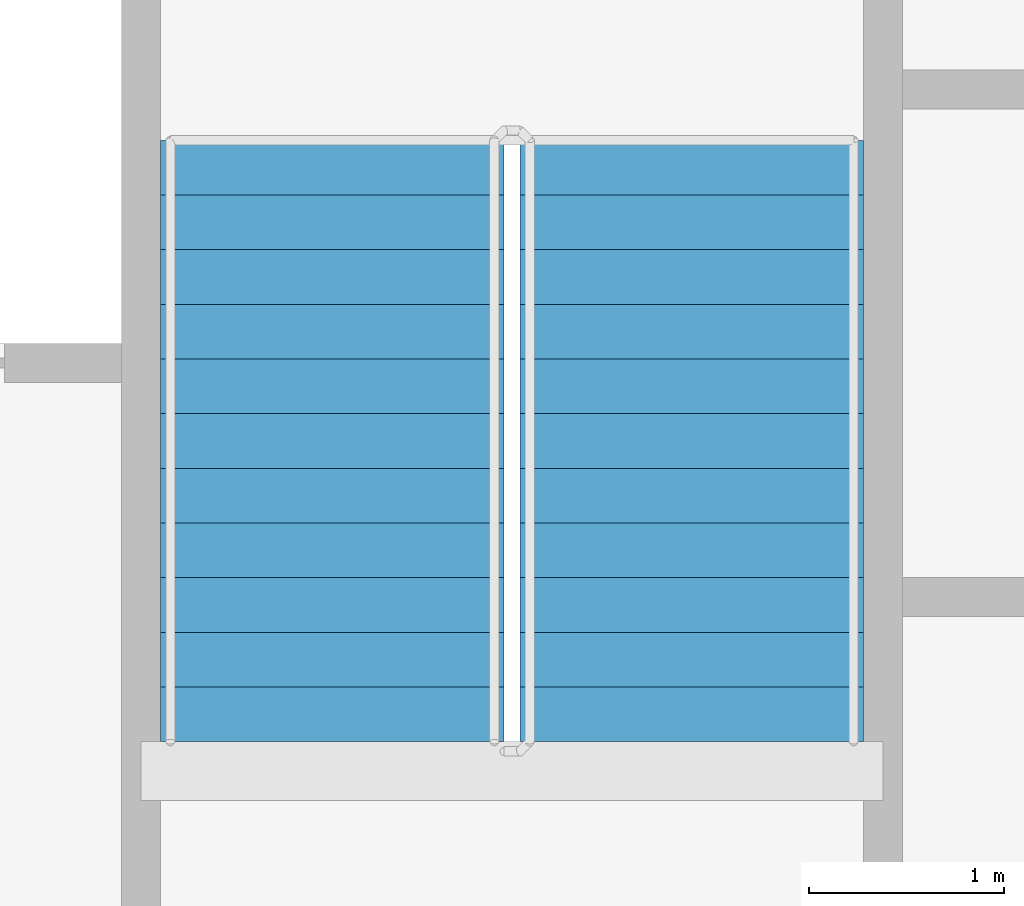
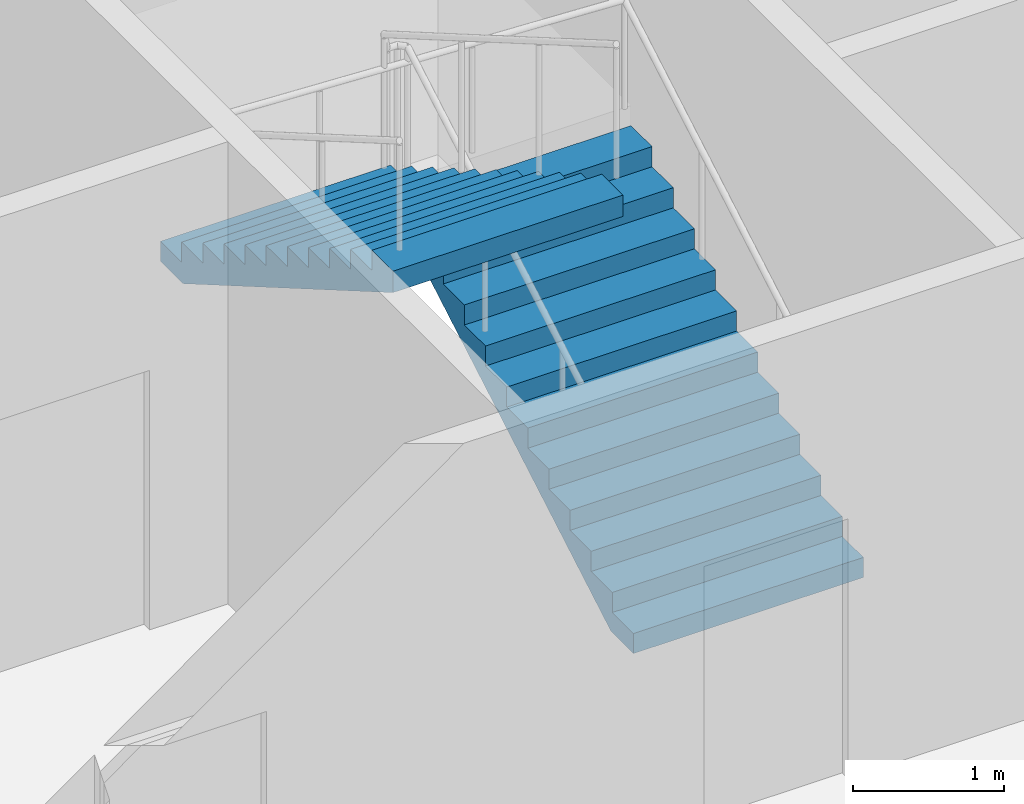
# One storey, part 10 of 16: 2 stair flights, 1 element without a shape of its own.
"""IFC4 building model written with IfcOpenShell, lengths in metres."""

import ifcopenshell
import ifcopenshell.guid

model = None  # the IFC model being written
_history = None  # IfcOwnerHistory: only IFC2X3 demands one
_inside = {}  # id of a spatial element -> (the spatial element, [elements in it])
_under = {}  # id of a project, library or spatial element -> (it, [spatial elements below it])
_declared = {}  # id of a project -> (the project, [libraries it declares])
_typed = {}  # id of a type object -> (the type object, [elements of that type])
_made_of = {}  # id of a material, layer set ... -> (it, [elements and type objects made of it])


def new_model(schema):
    """Start an empty IFC model of exactly this schema.

    Asked for "IFC4X3", IfcOpenShell would pick the latest addendum, in which some entities
    have other attributes; the version numbers below select the first issue.
    IFC2X3 requires an IfcOwnerHistory on every rooted entity: one is made here for all.
    """
    global model, _history
    if schema == "IFC4X3":
        model = ifcopenshell.file(schema_version=(4, 3, 0, 0))
    else:
        model = ifcopenshell.file(schema=schema)
    _inside.clear()
    _under.clear()
    _declared.clear()
    _typed.clear()
    _made_of.clear()
    _history = None
    if model.schema == "IFC2X3":
        org = make("IfcOrganization", Name="unknown")
        user = make(
            "IfcPersonAndOrganization",
            ThePerson=make("IfcPerson", FamilyName="unknown"),
            TheOrganization=org,
        )
        app = make(
            "IfcApplication",
            ApplicationDeveloper=org,
            Version="unknown",
            ApplicationFullName="unknown",
            ApplicationIdentifier="unknown",
        )
        _history = make(
            "IfcOwnerHistory",
            OwningUser=user,
            OwningApplication=app,
            ChangeAction="ADDED",
            CreationDate=0,
        )
    return model


def make(cls, **values):
    """One entity of the class cls with the attributes given. An attribute that is None is left unset."""
    return model.create_entity(
        cls, **{name: value for name, value in values.items() if value is not None}
    )


def rooted(cls, **values):
    """An entity with a GlobalId (a new one), such as an element, a storey or a relation."""
    return make(cls, GlobalId=ifcopenshell.guid.new(), OwnerHistory=_history, **values)


def si_unit(unit_type, name, prefix=None):
    """IfcSIUnit, for example si_unit("LENGTHUNIT", "METRE", prefix="MILLI")."""
    return make("IfcSIUnit", UnitType=unit_type, Prefix=prefix, Name=name)


def assignment(units):
    """IfcUnitAssignment: the units of a project."""
    return None if units is None else make("IfcUnitAssignment", Units=units)


def point(xyz):
    """IfcCartesianPoint."""
    return None if xyz is None else make("IfcCartesianPoint", Coordinates=xyz)


def direction(xyz):
    """IfcDirection."""
    return None if xyz is None else make("IfcDirection", DirectionRatios=xyz)


def frame(location, z_axis=None, x_axis=None):
    """IfcAxis2Placement3D, a coordinate frame: its origin and axes. An axis left out is left unset."""
    return make(
        "IfcAxis2Placement3D",
        Location=point(location),
        Axis=direction(z_axis),
        RefDirection=direction(x_axis),
    )


def origin():
    """The frame at (0, 0, 0) with its axes left unset."""
    return frame((0.0, 0.0, 0.0))


def place(relative_to, where):
    """IfcLocalPlacement: puts the frame where relative to a parent placement (None: the world)."""
    return make(
        "IfcLocalPlacement", PlacementRelTo=relative_to, RelativePlacement=where
    )


def context(
    kind, dimensions, precision=None, world=None, true_north=None, identifier=None
):
    """IfcGeometricRepresentationContext, for example the 3D "Model" context."""
    return make(
        "IfcGeometricRepresentationContext",
        ContextIdentifier=identifier,
        ContextType=kind,
        CoordinateSpaceDimension=dimensions,
        Precision=precision,
        WorldCoordinateSystem=world,
        TrueNorth=true_north,
    )


def subcontext(parent, identifier, kind, view, scale=None):
    """IfcGeometricRepresentationSubContext, for example "Body" below "Model"."""
    return make(
        "IfcGeometricRepresentationSubContext",
        ContextIdentifier=identifier,
        ContextType=kind,
        ParentContext=parent,
        TargetScale=scale,
        TargetView=view,
    )


def project(units=None, contexts=None):
    """IfcProject with its units and contexts."""
    return rooted(
        "IfcProject",
        Name="project",
        RepresentationContexts=contexts,
        UnitsInContext=assignment(units),
    )


def spatial(cls, under=None, at=None, **own):
    """A site, building, storey or space (cls), placed at a placement, below another one or the project."""
    s = rooted(cls, ObjectPlacement=at, **own)
    if under is not None:
        _under.setdefault(under.id(), (under, []))[1].append(s)
    return s


def faces_of(points, faces, orient=None, outer=None):
    """IfcFace entities. A face is a list of loops; a loop is a list of indices into points, from 0.

    orient and outer hold one flag for each loop. By default every Orientation is true, the
    first loop of a face is its IfcFaceOuterBound and the others are IfcFaceBound.
    """
    made = []
    for i, loops in enumerate(faces):
        bounds = []
        for j, loop in enumerate(loops):
            is_outer = j == 0 if outer is None else outer[i][j]
            bounds.append(
                make(
                    "IfcFaceOuterBound" if is_outer else "IfcFaceBound",
                    Bound=make("IfcPolyLoop", Polygon=[points[k] for k in loop]),
                    Orientation=True if orient is None else orient[i][j],
                )
            )
        made.append(make("IfcFace", Bounds=bounds))
    return made


def faceted_brep(points, faces, orient=None, outer=None, voids=None):
    """IfcFacetedBrep: a solid bounded by flat faces; with voids (closed shells), ...WithVoids."""
    shared = [point(p) for p in points]
    hull = make("IfcClosedShell", CfsFaces=faces_of(shared, faces, orient, outer))
    if voids is None:
        return make("IfcFacetedBrep", Outer=hull)
    return make(
        "IfcFacetedBrepWithVoids",
        Outer=hull,
        Voids=[
            make(cls, CfsFaces=faces_of(shared, fs, o, b)) for cls, fs, o, b in voids
        ],
    )


def shape(context_of_items, identifier, shape_type, items):
    """IfcShapeRepresentation: the items that make up one representation, for example the "Body"."""
    return make(
        "IfcShapeRepresentation",
        ContextOfItems=context_of_items,
        RepresentationIdentifier=identifier,
        RepresentationType=shape_type,
        Items=items,
    )


def material(Name=None, Category=None):
    """IfcMaterial."""
    return make("IfcMaterial", Name=Name, Category=Category)


def made_of(thing, what):
    """Note that an element or type object is made of a material, layer set ...; save() writes the relation."""
    if what is not None:
        _made_of.setdefault(what.id(), (what, []))[1].append(thing)
    return thing


def type_object(cls, material=None, **own):
    """A type object (cls), such as IfcWallType, which elements share."""
    return made_of(rooted(cls, **own), material)


def element(
    cls,
    number,
    at=None,
    inside=None,
    cuts=None,
    type_object=None,
    material=None,
    context=None,
    identifier="Body",
    shape_type=None,
    held_by="IfcProductDefinitionShape",
    body=None,
    shapes=None,
    **own,
):
    """One element of the class cls, such as IfcWall. Its Tag is "e" and its number.

    at: its placement. inside: the storey or other place that contains it. cuts: it is an
    opening in that element (IfcRelVoidsElement). A single representation is given by context,
    identifier, shape_type and body (its items); several are given by shapes. held_by: the class
    of the entity that holds the representations. save() writes the other relations.
    """
    e = rooted(cls, Tag="e%d" % number, ObjectPlacement=at, **own)
    if body is not None:
        shapes = [shape(context, identifier, shape_type, body)]
    if shapes is not None:
        e.Representation = make(held_by, Representations=shapes)
    if inside is not None:
        _inside.setdefault(inside.id(), (inside, []))[1].append(e)
    if cuts is not None:
        rooted(
            "IfcRelVoidsElement", RelatingBuildingElement=cuts, RelatedOpeningElement=e
        )
    if type_object is not None:
        _typed.setdefault(type_object.id(), (type_object, []))[1].append(e)
    return made_of(e, material)


def aggregate(whole, parts):
    """IfcRelAggregates: a whole, such as a stair, and the parts it consists of."""
    return rooted("IfcRelAggregates", RelatingObject=whole, RelatedObjects=parts)


def save(model, path):
    """Write the relations noted so far, then the file.

    IfcRelAggregates (storeys below a building ...), IfcRelContainedInSpatialStructure (elements
    in a storey), IfcRelDefinesByType, IfcRelAssociatesMaterial and IfcRelDeclares: one each for
    every whole, place, type object, material and project.
    """
    for whole, parts in _under.values():
        aggregate(whole, parts)
    for where, things in _inside.values():
        rooted(
            "IfcRelContainedInSpatialStructure",
            RelatedElements=things,
            RelatingStructure=where,
        )
    for kind, things in _typed.values():
        rooted("IfcRelDefinesByType", RelatedObjects=things, RelatingType=kind)
    for what, things in _made_of.values():
        rooted("IfcRelAssociatesMaterial", RelatedObjects=things, RelatingMaterial=what)
    for by, libraries in _declared.values():
        rooted("IfcRelDeclares", RelatingContext=by, RelatedDefinitions=libraries)
    model.write(path)


model = new_model("IFC4")

# Units and contexts
model_context = context("Model", 3, precision=1e-05, world=origin(), true_north=direction((0.0, 1.0)))
body_context = subcontext(model_context, "Body", "Model", "MODEL_VIEW")
ifc_project = project(units=[si_unit("LENGTHUNIT", "METRE"), si_unit("AREAUNIT", "SQUARE_METRE"), si_unit("VOLUMEUNIT", "CUBIC_METRE"), si_unit("PLANEANGLEUNIT", "RADIAN"), si_unit("MASSUNIT", "GRAM", prefix="KILO")], contexts=[model_context])

# Site, building, storey
site_placement = place(None, origin())
site = spatial("IfcSite", under=ifc_project, at=site_placement, CompositionType="ELEMENT")
building_placement = place(site_placement, origin())
building = spatial("IfcBuilding", under=site, at=building_placement, Name="Tarsis Ring Headquarters", CompositionType="ELEMENT")
storey_placement = place(building_placement, frame((0.0, 0.0, 112.300048828125)))
storey = spatial("IfcBuildingStorey", under=building, at=storey_placement, Name="L25", CompositionType="ELEMENT", Elevation=112.300048828125)

# Stair, stair flights
ifc_material_1 = material(Name="Core stair 1760")
stair_type = type_object("IfcStairType", Name="Core stair 1760", PredefinedType="HALF_TURN_STAIR", material=ifc_material_1)
stair_placement = place(storey_placement, origin())
stair = element("IfcStair", 1, at=stair_placement, inside=storey, type_object=stair_type, Name="L25 Exit stair B", PredefinedType="HALF_TURN_STAIR")
ifc_material_2 = material(Name="Concrete C40/50", Category="concrete")
stair_flight_type = type_object("IfcStairFlightType", Name="Core stair flight 1760", PredefinedType="STRAIGHT", material=ifc_material_2)
stair_flight_1_placement = place(storey_placement, frame((5.419921875, 3.659912109375, 0.0), z_axis=(0.0, 0.0, 1.0), x_axis=(0.0, 1.0, 0.0)))
stair_flight_1 = element("IfcStairFlight", 2, at=stair_flight_1_placement, type_object=stair_flight_type, Name="Stair ST2 flight 1", NumberOfRisers=12, NumberOfTreads=11, PredefinedType="STRAIGHT", RiserHeight=0.1625, TreadLength=0.28, context=body_context, shape_type="Brep", body=[
    faceted_brep([(0.0, 0.8798828125, 0.0), (0.0, 0.8798828125, 0.16259765625), (0.280029296875, 0.8798828125, 0.16259765625), (0.280029296875, 0.8798828125, 0.324951171875), (0.56005859375, 0.8798828125, 0.324951171875), (0.56005859375, 0.8798828125, 0.487548828125), (0.840087890625, 0.8798828125, 0.487548828125), (0.840087890625, 0.8798828125, 0.64990234375), (1.1201171875, 0.8798828125, 0.64990234375), (1.1201171875, 0.8798828125, 0.8125), (1.39990234375, 0.8798828125, 0.8125), (1.39990234375, 0.8798828125, 0.97509765625), (1.679931640625, 0.8798828125, 0.97509765625), (1.679931640625, 0.8798828125, 1.137451171875), (1.9599609375, 0.8798828125, 1.137451171875), (1.9599609375, 0.8798828125, 1.300048828125), (2.239990234375, 0.8798828125, 1.300048828125), (2.239990234375, 0.8798828125, 1.46240234375), (2.52001953125, 0.8798828125, 1.46240234375), (2.52001953125, 0.8798828125, 1.625), (2.800048828125, 0.8798828125, 1.625), (2.800048828125, 0.8798828125, 1.78759765625), (3.080078125, 0.8798828125, 1.78759765625), (3.080078125, 0.8798828125, 1.6142578125), (0.298583984375, 0.8798828125, 0.0), (0.298583984375, -0.8798828125, 0.0), (3.080078125, -0.8798828125, 1.6142578125), (3.080078125, -0.8798828125, 1.78759765625), (2.800048828125, -0.8798828125, 1.78759765625), (2.800048828125, -0.8798828125, 1.625), (2.52001953125, -0.8798828125, 1.625), (2.52001953125, -0.8798828125, 1.46240234375), (2.239990234375, -0.8798828125, 1.46240234375), (2.239990234375, -0.8798828125, 1.300048828125), (1.9599609375, -0.8798828125, 1.300048828125), (1.9599609375, -0.8798828125, 1.137451171875), (1.679931640625, -0.8798828125, 1.137451171875), (1.679931640625, -0.8798828125, 0.97509765625), (1.39990234375, -0.8798828125, 0.97509765625), (1.39990234375, -0.8798828125, 0.8125), (1.1201171875, -0.8798828125, 0.8125), (1.1201171875, -0.8798828125, 0.64990234375), (0.840087890625, -0.8798828125, 0.64990234375), (0.840087890625, -0.8798828125, 0.487548828125), (0.56005859375, -0.8798828125, 0.487548828125), (0.56005859375, -0.8798828125, 0.324951171875), (0.280029296875, -0.8798828125, 0.324951171875), (0.280029296875, -0.8798828125, 0.16259765625), (0.0, -0.8798828125, 0.16259765625), (0.0, -0.8798828125, 0.0), (0.0, -0.43994140625, 0.16259765625), (0.0, -0.43994140625, 0.0), (0.0, 0.0, 0.16259765625), (0.0, 0.0, 0.0), (0.0, 0.43994140625, 0.16259765625), (0.0, 0.43994140625, 0.0), (0.280029296875, -0.43994140625, 0.16259765625), (0.280029296875, 0.0, 0.16259765625), (0.280029296875, 0.43994140625, 0.16259765625), (0.280029296875, -0.43994140625, 0.324951171875), (0.280029296875, 0.0, 0.324951171875), (0.280029296875, 0.43994140625, 0.324951171875), (0.56005859375, -0.43994140625, 0.324951171875), (0.56005859375, 0.0, 0.324951171875), (0.56005859375, 0.43994140625, 0.324951171875), (0.56005859375, -0.43994140625, 0.487548828125), (0.56005859375, 0.0, 0.487548828125), (0.56005859375, 0.43994140625, 0.487548828125), (0.840087890625, -0.43994140625, 0.487548828125), (0.840087890625, 0.0, 0.487548828125), (0.840087890625, 0.43994140625, 0.487548828125), (0.840087890625, -0.43994140625, 0.64990234375), (0.840087890625, 0.0, 0.64990234375), (0.840087890625, 0.43994140625, 0.64990234375), (1.1201171875, -0.43994140625, 0.64990234375), (1.1201171875, 0.0, 0.64990234375), (1.1201171875, 0.43994140625, 0.64990234375), (1.1201171875, -0.43994140625, 0.8125), (1.1201171875, 0.0, 0.8125), (1.1201171875, 0.43994140625, 0.8125), (1.39990234375, -0.43994140625, 0.8125), (1.39990234375, 0.0, 0.8125), (1.39990234375, 0.43994140625, 0.8125), (1.39990234375, -0.43994140625, 0.97509765625), (1.39990234375, 0.0, 0.97509765625), (1.39990234375, 0.43994140625, 0.97509765625), (1.679931640625, -0.43994140625, 0.97509765625), (1.679931640625, 0.0, 0.97509765625), (1.679931640625, 0.43994140625, 0.97509765625), (1.679931640625, -0.43994140625, 1.137451171875), (1.679931640625, 0.0, 1.137451171875), (1.679931640625, 0.43994140625, 1.137451171875), (1.9599609375, -0.43994140625, 1.137451171875), (1.9599609375, 0.0, 1.137451171875), (1.9599609375, 0.43994140625, 1.137451171875), (1.9599609375, -0.43994140625, 1.300048828125), (1.9599609375, 0.0, 1.300048828125), (1.9599609375, 0.43994140625, 1.300048828125), (2.239990234375, -0.43994140625, 1.300048828125), (2.239990234375, 0.0, 1.300048828125), (2.239990234375, 0.43994140625, 1.300048828125), (2.239990234375, -0.43994140625, 1.46240234375), (2.239990234375, 0.0, 1.46240234375), (2.239990234375, 0.43994140625, 1.46240234375), (2.52001953125, -0.43994140625, 1.46240234375), (2.52001953125, 0.0, 1.46240234375), (2.52001953125, 0.43994140625, 1.46240234375), (2.52001953125, -0.43994140625, 1.625), (2.52001953125, 0.0, 1.625), (2.52001953125, 0.43994140625, 1.625), (2.800048828125, -0.43994140625, 1.625), (2.800048828125, 0.0, 1.625), (2.800048828125, 0.43994140625, 1.625), (2.800048828125, -0.43994140625, 1.78759765625), (2.800048828125, 0.0, 1.78759765625), (2.800048828125, 0.43994140625, 1.78759765625), (3.080078125, -0.43994140625, 1.78759765625), (3.080078125, 0.0, 1.78759765625), (3.080078125, 0.43994140625, 1.78759765625), (3.080078125, -0.43994140625, 1.6142578125), (3.080078125, 0.0, 1.6142578125), (3.080078125, 0.43994140625, 1.6142578125), (0.298583984375, -0.43994140625, 0.0), (0.298583984375, 0.0, 0.0), (0.298583984375, 0.43994140625, 0.0)], [[[0, 1, 2, 3, 4, 5, 6, 7, 8, 9, 10, 11, 12, 13, 14, 15, 16, 17, 18, 19, 20, 21, 22, 23, 24]], [[25, 26, 27, 28, 29, 30, 31, 32, 33, 34, 35, 36, 37, 38, 39, 40, 41, 42, 43, 44, 45, 46, 47, 48, 49]], [[49, 48, 50, 51]], [[51, 50, 52, 53]], [[53, 52, 54, 55]], [[55, 54, 1, 0]], [[48, 47, 56, 50]], [[50, 56, 57, 52]], [[52, 57, 58, 54]], [[54, 58, 2, 1]], [[47, 46, 59, 56]], [[56, 59, 60, 57]], [[57, 60, 61, 58]], [[58, 61, 3, 2]], [[46, 45, 62, 59]], [[59, 62, 63, 60]], [[60, 63, 64, 61]], [[61, 64, 4, 3]], [[45, 44, 65, 62]], [[62, 65, 66, 63]], [[63, 66, 67, 64]], [[64, 67, 5, 4]], [[44, 43, 68, 65]], [[65, 68, 69, 66]], [[66, 69, 70, 67]], [[67, 70, 6, 5]], [[43, 42, 71, 68]], [[68, 71, 72, 69]], [[69, 72, 73, 70]], [[70, 73, 7, 6]], [[42, 41, 74, 71]], [[71, 74, 75, 72]], [[72, 75, 76, 73]], [[73, 76, 8, 7]], [[41, 40, 77, 74]], [[74, 77, 78, 75]], [[75, 78, 79, 76]], [[76, 79, 9, 8]], [[40, 39, 80, 77]], [[77, 80, 81, 78]], [[78, 81, 82, 79]], [[79, 82, 10, 9]], [[39, 38, 83, 80]], [[80, 83, 84, 81]], [[81, 84, 85, 82]], [[82, 85, 11, 10]], [[38, 37, 86, 83]], [[83, 86, 87, 84]], [[84, 87, 88, 85]], [[85, 88, 12, 11]], [[37, 36, 89, 86]], [[86, 89, 90, 87]], [[87, 90, 91, 88]], [[88, 91, 13, 12]], [[36, 35, 92, 89]], [[89, 92, 93, 90]], [[90, 93, 94, 91]], [[91, 94, 14, 13]], [[35, 34, 95, 92]], [[92, 95, 96, 93]], [[93, 96, 97, 94]], [[94, 97, 15, 14]], [[34, 33, 98, 95]], [[95, 98, 99, 96]], [[96, 99, 100, 97]], [[97, 100, 16, 15]], [[33, 32, 101, 98]], [[98, 101, 102, 99]], [[99, 102, 103, 100]], [[100, 103, 17, 16]], [[32, 31, 104, 101]], [[101, 104, 105, 102]], [[102, 105, 106, 103]], [[103, 106, 18, 17]], [[31, 30, 107, 104]], [[104, 107, 108, 105]], [[105, 108, 109, 106]], [[106, 109, 19, 18]], [[30, 29, 110, 107]], [[107, 110, 111, 108]], [[108, 111, 112, 109]], [[109, 112, 20, 19]], [[29, 28, 113, 110]], [[110, 113, 114, 111]], [[111, 114, 115, 112]], [[112, 115, 21, 20]], [[28, 27, 116, 113]], [[113, 116, 117, 114]], [[114, 117, 118, 115]], [[115, 118, 22, 21]], [[27, 26, 119, 116]], [[116, 119, 120, 117]], [[117, 120, 121, 118]], [[118, 121, 23, 22]], [[26, 25, 122, 119]], [[119, 122, 123, 120]], [[120, 123, 124, 121]], [[121, 124, 24, 23]], [[25, 49, 51, 122]], [[122, 51, 53, 123]], [[123, 53, 55, 124]], [[124, 55, 0, 24]]]),
])
stair_flight_2_placement = place(storey_placement, frame((3.580078125, 6.739990234375, 1.949951171875), z_axis=(0.0, 0.0, 1.0), x_axis=(0.0, -1.0, 0.0)))
stair_flight_2 = element("IfcStairFlight", 3, at=stair_flight_2_placement, type_object=stair_flight_type, Name="Stair ST2 flight 2", NumberOfRisers=12, NumberOfTreads=11, PredefinedType="STRAIGHT", RiserHeight=0.1625, TreadLength=0.28, context=body_context, shape_type="Brep", body=[
    faceted_brep([(0.0, 0.8798828125, 0.0), (0.0, 0.8798828125, 0.16259765625), (0.280029296875, 0.8798828125, 0.16259765625), (0.280029296875, 0.8798828125, 0.324951171875), (0.56005859375, 0.8798828125, 0.324951171875), (0.56005859375, 0.8798828125, 0.487548828125), (0.840087890625, 0.8798828125, 0.487548828125), (0.840087890625, 0.8798828125, 0.64990234375), (1.1201171875, 0.8798828125, 0.64990234375), (1.1201171875, 0.8798828125, 0.8125), (1.39990234375, 0.8798828125, 0.8125), (1.39990234375, 0.8798828125, 0.97509765625), (1.679931640625, 0.8798828125, 0.97509765625), (1.679931640625, 0.8798828125, 1.137451171875), (1.9599609375, 0.8798828125, 1.137451171875), (1.9599609375, 0.8798828125, 1.300048828125), (2.239990234375, 0.8798828125, 1.300048828125), (2.239990234375, 0.8798828125, 1.46240234375), (2.52001953125, 0.8798828125, 1.46240234375), (2.52001953125, 0.8798828125, 1.625), (2.800048828125, 0.8798828125, 1.625), (2.800048828125, 0.8798828125, 1.78759765625), (3.080078125, 0.8798828125, 1.78759765625), (3.080078125, 0.8798828125, 1.6142578125), (0.298583984375, 0.8798828125, 0.0), (0.298583984375, -0.8798828125, 0.0), (3.080078125, -0.8798828125, 1.6142578125), (3.080078125, -0.8798828125, 1.78759765625), (2.800048828125, -0.8798828125, 1.78759765625), (2.800048828125, -0.8798828125, 1.625), (2.52001953125, -0.8798828125, 1.625), (2.52001953125, -0.8798828125, 1.46240234375), (2.239990234375, -0.8798828125, 1.46240234375), (2.239990234375, -0.8798828125, 1.300048828125), (1.9599609375, -0.8798828125, 1.300048828125), (1.9599609375, -0.8798828125, 1.137451171875), (1.679931640625, -0.8798828125, 1.137451171875), (1.679931640625, -0.8798828125, 0.97509765625), (1.39990234375, -0.8798828125, 0.97509765625), (1.39990234375, -0.8798828125, 0.8125), (1.1201171875, -0.8798828125, 0.8125), (1.1201171875, -0.8798828125, 0.64990234375), (0.840087890625, -0.8798828125, 0.64990234375), (0.840087890625, -0.8798828125, 0.487548828125), (0.56005859375, -0.8798828125, 0.487548828125), (0.56005859375, -0.8798828125, 0.324951171875), (0.280029296875, -0.8798828125, 0.324951171875), (0.280029296875, -0.8798828125, 0.16259765625), (0.0, -0.8798828125, 0.16259765625), (0.0, -0.8798828125, 0.0), (0.0, -0.43994140625, 0.16259765625), (0.0, -0.43994140625, 0.0), (0.0, 0.0, 0.16259765625), (0.0, 0.0, 0.0), (0.0, 0.43994140625, 0.16259765625), (0.0, 0.43994140625, 0.0), (0.280029296875, -0.43994140625, 0.16259765625), (0.280029296875, 0.0, 0.16259765625), (0.280029296875, 0.43994140625, 0.16259765625), (0.280029296875, -0.43994140625, 0.324951171875), (0.280029296875, 0.0, 0.324951171875), (0.280029296875, 0.43994140625, 0.324951171875), (0.56005859375, -0.43994140625, 0.324951171875), (0.56005859375, 0.0, 0.324951171875), (0.56005859375, 0.43994140625, 0.324951171875), (0.56005859375, -0.43994140625, 0.487548828125), (0.56005859375, 0.0, 0.487548828125), (0.56005859375, 0.43994140625, 0.487548828125), (0.840087890625, -0.43994140625, 0.487548828125), (0.840087890625, 0.0, 0.487548828125), (0.840087890625, 0.43994140625, 0.487548828125), (0.840087890625, -0.43994140625, 0.64990234375), (0.840087890625, 0.0, 0.64990234375), (0.840087890625, 0.43994140625, 0.64990234375), (1.1201171875, -0.43994140625, 0.64990234375), (1.1201171875, 0.0, 0.64990234375), (1.1201171875, 0.43994140625, 0.64990234375), (1.1201171875, -0.43994140625, 0.8125), (1.1201171875, 0.0, 0.8125), (1.1201171875, 0.43994140625, 0.8125), (1.39990234375, -0.43994140625, 0.8125), (1.39990234375, 0.0, 0.8125), (1.39990234375, 0.43994140625, 0.8125), (1.39990234375, -0.43994140625, 0.97509765625), (1.39990234375, 0.0, 0.97509765625), (1.39990234375, 0.43994140625, 0.97509765625), (1.679931640625, -0.43994140625, 0.97509765625), (1.679931640625, 0.0, 0.97509765625), (1.679931640625, 0.43994140625, 0.97509765625), (1.679931640625, -0.43994140625, 1.137451171875), (1.679931640625, 0.0, 1.137451171875), (1.679931640625, 0.43994140625, 1.137451171875), (1.9599609375, -0.43994140625, 1.137451171875), (1.9599609375, 0.0, 1.137451171875), (1.9599609375, 0.43994140625, 1.137451171875), (1.9599609375, -0.43994140625, 1.300048828125), (1.9599609375, 0.0, 1.300048828125), (1.9599609375, 0.43994140625, 1.300048828125), (2.239990234375, -0.43994140625, 1.300048828125), (2.239990234375, 0.0, 1.300048828125), (2.239990234375, 0.43994140625, 1.300048828125), (2.239990234375, -0.43994140625, 1.46240234375), (2.239990234375, 0.0, 1.46240234375), (2.239990234375, 0.43994140625, 1.46240234375), (2.52001953125, -0.43994140625, 1.46240234375), (2.52001953125, 0.0, 1.46240234375), (2.52001953125, 0.43994140625, 1.46240234375), (2.52001953125, -0.43994140625, 1.625), (2.52001953125, 0.0, 1.625), (2.52001953125, 0.43994140625, 1.625), (2.800048828125, -0.43994140625, 1.625), (2.800048828125, 0.0, 1.625), (2.800048828125, 0.43994140625, 1.625), (2.800048828125, -0.43994140625, 1.78759765625), (2.800048828125, 0.0, 1.78759765625), (2.800048828125, 0.43994140625, 1.78759765625), (3.080078125, -0.43994140625, 1.78759765625), (3.080078125, 0.0, 1.78759765625), (3.080078125, 0.43994140625, 1.78759765625), (3.080078125, -0.43994140625, 1.6142578125), (3.080078125, 0.0, 1.6142578125), (3.080078125, 0.43994140625, 1.6142578125), (0.298583984375, -0.43994140625, 0.0), (0.298583984375, 0.0, 0.0), (0.298583984375, 0.43994140625, 0.0)], [[[0, 1, 2, 3, 4, 5, 6, 7, 8, 9, 10, 11, 12, 13, 14, 15, 16, 17, 18, 19, 20, 21, 22, 23, 24]], [[25, 26, 27, 28, 29, 30, 31, 32, 33, 34, 35, 36, 37, 38, 39, 40, 41, 42, 43, 44, 45, 46, 47, 48, 49]], [[49, 48, 50, 51]], [[51, 50, 52, 53]], [[53, 52, 54, 55]], [[55, 54, 1, 0]], [[48, 47, 56, 50]], [[50, 56, 57, 52]], [[52, 57, 58, 54]], [[54, 58, 2, 1]], [[47, 46, 59, 56]], [[56, 59, 60, 57]], [[57, 60, 61, 58]], [[58, 61, 3, 2]], [[46, 45, 62, 59]], [[59, 62, 63, 60]], [[60, 63, 64, 61]], [[61, 64, 4, 3]], [[45, 44, 65, 62]], [[62, 65, 66, 63]], [[63, 66, 67, 64]], [[64, 67, 5, 4]], [[44, 43, 68, 65]], [[65, 68, 69, 66]], [[66, 69, 70, 67]], [[67, 70, 6, 5]], [[43, 42, 71, 68]], [[68, 71, 72, 69]], [[69, 72, 73, 70]], [[70, 73, 7, 6]], [[42, 41, 74, 71]], [[71, 74, 75, 72]], [[72, 75, 76, 73]], [[73, 76, 8, 7]], [[41, 40, 77, 74]], [[74, 77, 78, 75]], [[75, 78, 79, 76]], [[76, 79, 9, 8]], [[40, 39, 80, 77]], [[77, 80, 81, 78]], [[78, 81, 82, 79]], [[79, 82, 10, 9]], [[39, 38, 83, 80]], [[80, 83, 84, 81]], [[81, 84, 85, 82]], [[82, 85, 11, 10]], [[38, 37, 86, 83]], [[83, 86, 87, 84]], [[84, 87, 88, 85]], [[85, 88, 12, 11]], [[37, 36, 89, 86]], [[86, 89, 90, 87]], [[87, 90, 91, 88]], [[88, 91, 13, 12]], [[36, 35, 92, 89]], [[89, 92, 93, 90]], [[90, 93, 94, 91]], [[91, 94, 14, 13]], [[35, 34, 95, 92]], [[92, 95, 96, 93]], [[93, 96, 97, 94]], [[94, 97, 15, 14]], [[34, 33, 98, 95]], [[95, 98, 99, 96]], [[96, 99, 100, 97]], [[97, 100, 16, 15]], [[33, 32, 101, 98]], [[98, 101, 102, 99]], [[99, 102, 103, 100]], [[100, 103, 17, 16]], [[32, 31, 104, 101]], [[101, 104, 105, 102]], [[102, 105, 106, 103]], [[103, 106, 18, 17]], [[31, 30, 107, 104]], [[104, 107, 108, 105]], [[105, 108, 109, 106]], [[106, 109, 19, 18]], [[30, 29, 110, 107]], [[107, 110, 111, 108]], [[108, 111, 112, 109]], [[109, 112, 20, 19]], [[29, 28, 113, 110]], [[110, 113, 114, 111]], [[111, 114, 115, 112]], [[112, 115, 21, 20]], [[28, 27, 116, 113]], [[113, 116, 117, 114]], [[114, 117, 118, 115]], [[115, 118, 22, 21]], [[27, 26, 119, 116]], [[116, 119, 120, 117]], [[117, 120, 121, 118]], [[118, 121, 23, 22]], [[26, 25, 122, 119]], [[119, 122, 123, 120]], [[120, 123, 124, 121]], [[121, 124, 24, 23]], [[25, 49, 51, 122]], [[122, 51, 53, 123]], [[123, 53, 55, 124]], [[124, 55, 0, 24]]]),
])
aggregate(stair, [stair_flight_1, stair_flight_2])

save(model, "model.ifc")
